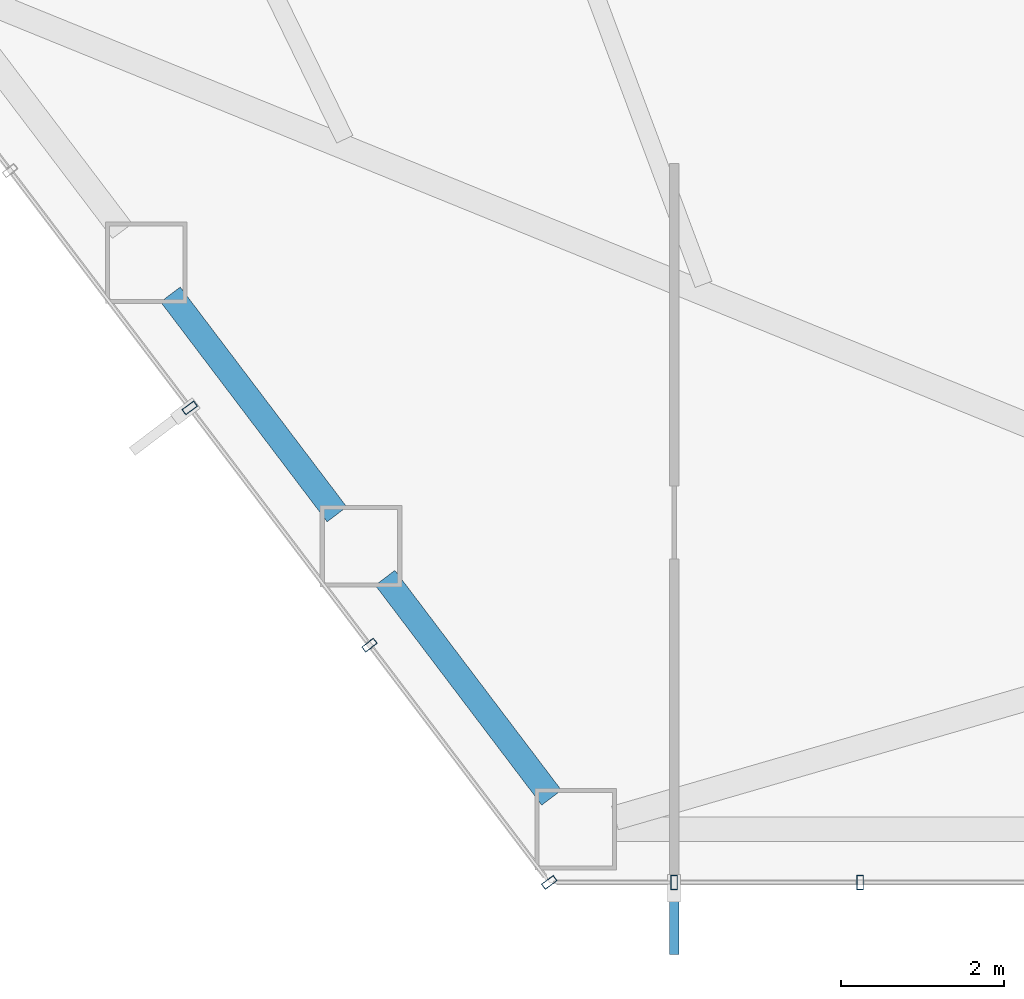
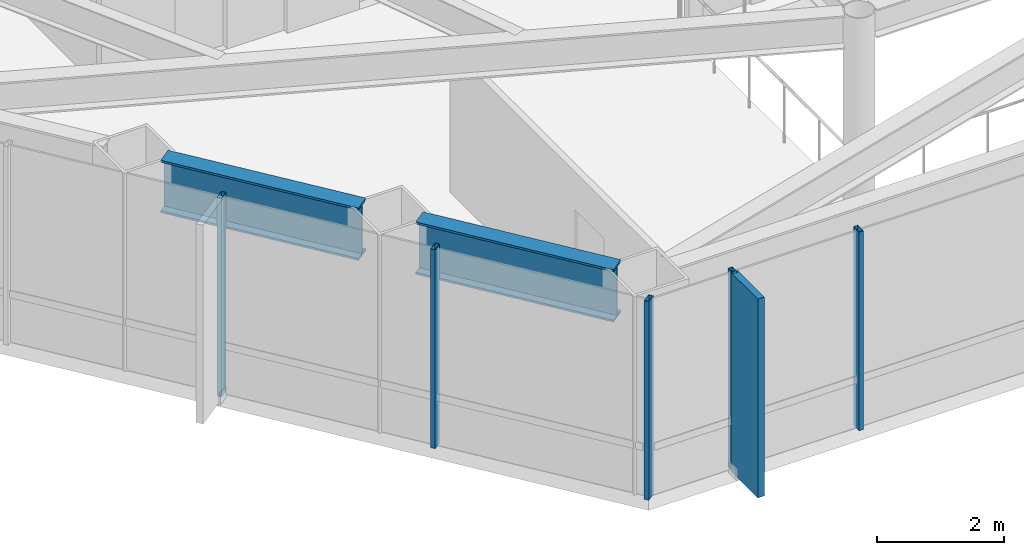
# One storey, part 2 of 26: 6 members, 2 beams, 2 elements without a shape of their own.
"""IFC4 building model written with IfcOpenShell, lengths in metres."""

from ifc_helpers import new_model, si_unit, direction, frame, origin, origin_2d, place, context, subcontext, project, spatial, rectangle, hollow_rectangle, i_section, extrude, material, layer, layer_set, material_profile, profile_set, type_object, element, aggregate, save


model = new_model("IFC4")

# Units and contexts
model_context = context("Model", 3, precision=1e-05, world=origin(), true_north=direction((0.0, 1.0)))
body_context = subcontext(model_context, "Body", "Model", "MODEL_VIEW")
ifc_project = project(units=[si_unit("LENGTHUNIT", "METRE"), si_unit("AREAUNIT", "SQUARE_METRE"), si_unit("VOLUMEUNIT", "CUBIC_METRE"), si_unit("PLANEANGLEUNIT", "RADIAN"), si_unit("MASSUNIT", "GRAM", prefix="KILO")], contexts=[model_context])

# Site, building, storey
site_placement = place(None, origin())
site = spatial("IfcSite", under=ifc_project, at=site_placement, CompositionType="ELEMENT")
building_placement = place(site_placement, origin())
building = spatial("IfcBuilding", under=site, at=building_placement, Name="Zarrinselat Tower", CompositionType="ELEMENT")
storey_placement = place(building_placement, frame((0.0, 0.0, 31.6201171875)))
storey = spatial("IfcBuildingStorey", under=building, at=storey_placement, Name="L07", CompositionType="ELEMENT", Elevation=31.6201171875)

# Beams
ifc_material_1 = material(Name="Steel S460M", Category="steel")
ifc_material_profile_1 = material_profile(ifc_material_1, i_section(OverallWidth=0.302001953125, OverallDepth=1.008056640625, WebThickness=0.02099609375, FlangeThickness=0.0400390625, at=origin_2d()), Name="HEM 1000")
ifc_profile_set_1 = profile_set([ifc_material_profile_1], Name="Steel S460M")
beam_type = type_object("IfcBeamType", Name="BM-HEM1000", PredefinedType="BEAM", material=ifc_profile_set_1)
for number, where, z_axis, x_axis, name in (
    (1, (22.32470703125, 26.39697265625, 3.31591796875), (0.603852126588, -0.797096361311, 0.0), (0.797096361311, 0.603852126588, 0.0), "L07 Perimeter Spandrel Girder SP08"),
    (2, (24.95556640625, 22.92431640625, 3.31591796875), (0.603852126588, -0.797096361311, 0.0), (0.797096361311, 0.603852126588, 0.0), "L07 Perimeter Spandrel Girder SP09"),
):
    element("IfcBeam", number, at=place(storey_placement, frame(where, z_axis=z_axis, x_axis=x_axis)), inside=storey, type_object=beam_type, Name=name, PredefinedType="BEAM", context=body_context, shape_type="SweptSolid", body=[
        extrude(i_section(OverallWidth=0.302001953125, OverallDepth=1.008056640625, WebThickness=0.02099609375, FlangeThickness=0.0400390625, at=origin_2d()), origin(), (0.0, 0.0, 1.0), 3.380859375),
    ])

# Curtain wall, members
ifc_material_2 = material(Name="Extruded Aluminium Alloy EN AW-6063 T6", Category="aluminium")
ifc_layer = layer(ifc_material_2, 0.18505859375)
ifc_layer_set = layer_set([ifc_layer], Name="Extruded Aluminium Alloy EN AW-6063 T6")
curtain_wall_type = type_object("IfcCurtainWallType", Name="CWS-OFF", PredefinedType="NOTDEFINED", material=ifc_layer_set)
curtain_wall_1_placement = place(storey_placement, origin())
curtain_wall_1 = element("IfcCurtainWall", 3, at=curtain_wall_1_placement, inside=storey, type_object=curtain_wall_type, Name="L07 Unitised Curtain Wall CW-L07-E03", PredefinedType="NOTDEFINED")
ifc_material_3 = material(Name="Extruded Aluminium Alloy EN AW-6063 T6", Category="aluminium")
ifc_material_profile_2 = material_profile(ifc_material_3, hollow_rectangle(XDim=0.080078125, YDim=0.179931640625, WallThickness=0.0048828125, at=origin_2d()), Name="RHS 180x80x5")
ifc_profile_set_2 = profile_set([ifc_material_profile_2], Name="Extruded Aluminium Alloy EN AW-6063 T6")
member_type_1 = type_object("IfcMemberType", Name="MEM-CW-MUL", PredefinedType="MULLION", material=ifc_profile_set_2)
member_1_placement = place(storey_placement, frame((22.562255859375, 25.0068359375, 0.0), z_axis=(0.0, 0.0, 1.0), x_axis=(0.603858215687, -0.797091748388, 0.0)))
member_1 = element("IfcMember", 4, at=member_1_placement, type_object=member_type_1, Name="CW-L07-E03 Mullion 3", PredefinedType="MULLION", context=body_context, shape_type="SweptSolid", body=[
    extrude(hollow_rectangle(XDim=0.080078125, YDim=0.179931640625, WallThickness=0.0048828125, at=origin_2d()), origin(), (0.0, 0.0, 1.0), 3.81982421875),
])
member_2_placement = place(storey_placement, frame((24.765380859375, 22.0986328125, 0.0), z_axis=(0.0, 0.0, 1.0), x_axis=(0.603858215687, -0.797091748388, 0.0)))
member_2 = element("IfcMember", 5, at=member_2_placement, type_object=member_type_1, Name="CW-L07-E03 Mullion 4", PredefinedType="MULLION", context=body_context, shape_type="SweptSolid", body=[
    extrude(hollow_rectangle(XDim=0.080078125, YDim=0.179931640625, WallThickness=0.0048828125, at=origin_2d()), origin(), (0.0, 0.0, 1.0), 3.81982421875),
])
member_3_placement = place(storey_placement, frame((26.96875, 19.1904296875, 0.0), z_axis=(0.0, 0.0, 1.0), x_axis=(0.603858215687, -0.797091748388, 0.0)))
member_3 = element("IfcMember", 6, at=member_3_placement, type_object=member_type_1, Name="CW-L07-E03 Mullion 5", PredefinedType="MULLION", context=body_context, shape_type="SweptSolid", body=[
    extrude(hollow_rectangle(XDim=0.080078125, YDim=0.179931640625, WallThickness=0.0048828125, at=origin_2d()), origin(), (0.0, 0.0, 1.0), 3.81982421875),
])
aggregate(curtain_wall_1, [member_1, member_2, member_3])

curtain_wall_2_placement = place(storey_placement, origin())
curtain_wall_2 = element("IfcCurtainWall", 7, at=curtain_wall_2_placement, inside=storey, type_object=curtain_wall_type, Name="L07 Unitised Curtain Wall CW-L07-E04", PredefinedType="NOTDEFINED")
member_4_placement = place(storey_placement, frame((28.5, 19.1904296875, 0.0), z_axis=(0.0, 0.0, 1.0), x_axis=(1.0, 0.0, 0.0)))
member_4 = element("IfcMember", 8, at=member_4_placement, type_object=member_type_1, Name="CW-L07-E04 Mullion 1", PredefinedType="MULLION", context=body_context, shape_type="SweptSolid", body=[
    extrude(hollow_rectangle(XDim=0.080078125, YDim=0.179931640625, WallThickness=0.0048828125, at=origin_2d()), origin(), (0.0, 0.0, 1.0), 3.81982421875),
])
member_5_placement = place(storey_placement, frame((30.779052734375, 19.1904296875, 0.0), z_axis=(0.0, 0.0, 1.0), x_axis=(1.0, 0.0, 0.0)))
member_5 = element("IfcMember", 9, at=member_5_placement, type_object=member_type_1, Name="CW-L07-E04 Mullion 2", PredefinedType="MULLION", context=body_context, shape_type="SweptSolid", body=[
    extrude(hollow_rectangle(XDim=0.080078125, YDim=0.179931640625, WallThickness=0.0048828125, at=origin_2d()), origin(), (0.0, 0.0, 1.0), 3.81982421875),
])
ifc_material_4 = material(Name="Honed Cream Travertine Stone", Category="masonry")
ifc_material_profile_3 = material_profile(ifc_material_4, rectangle(XDim=0.1201171875, YDim=0.85009765625, at=origin_2d()), Name="FIN 850x120")
ifc_profile_set_3 = profile_set([ifc_material_profile_3], Name="Honed Cream Travertine Stone")
member_type_2 = type_object("IfcMemberType", Name="MEM-STONE-FIN", PredefinedType="USERDEFINED", material=ifc_profile_set_3)
member_6_placement = place(storey_placement, frame((28.5, 18.73046875, 0.0), z_axis=(0.0, 0.0, 1.0), x_axis=(-1.0, 0.0, 0.0)))
member_6 = element("IfcMember", 10, at=member_6_placement, type_object=member_type_2, Name="L07 Stone Shading Fin CW-L07-E04-01", ObjectType="FIN", PredefinedType="USERDEFINED", context=body_context, shape_type="SweptSolid", body=[
    extrude(rectangle(XDim=0.1201171875, YDim=0.85009765625, at=origin_2d()), origin(), (0.0, 0.0, 1.0), 3.81982421875),
])
aggregate(curtain_wall_2, [member_4, member_6, member_5])

save(model, "model.ifc")
